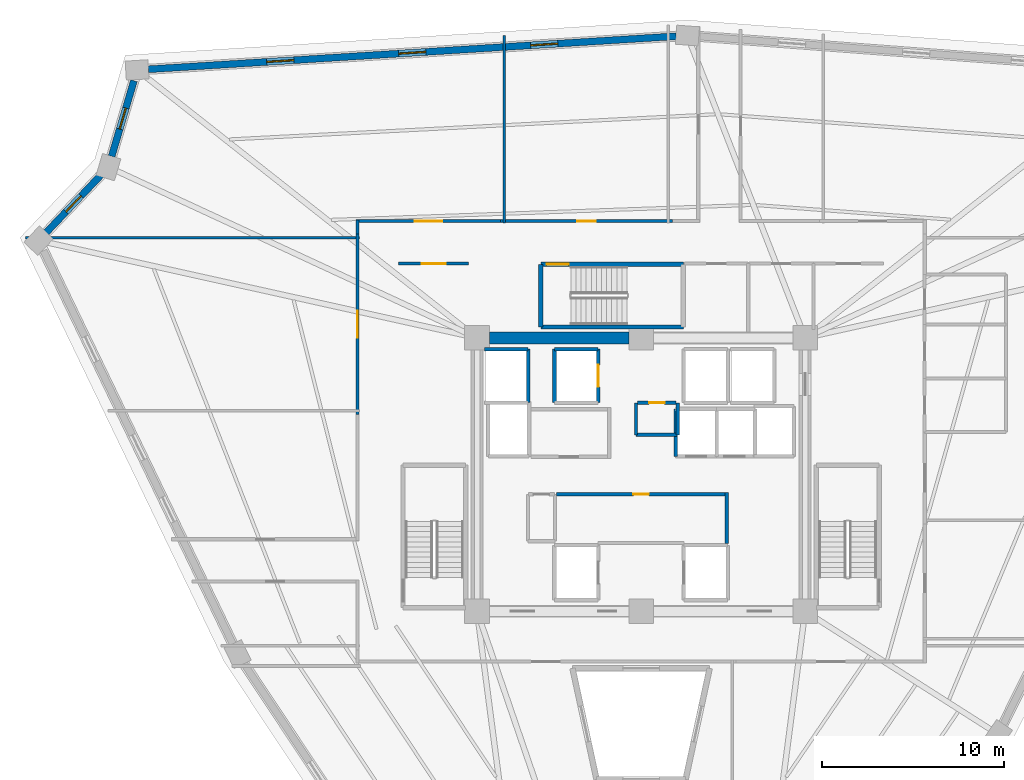
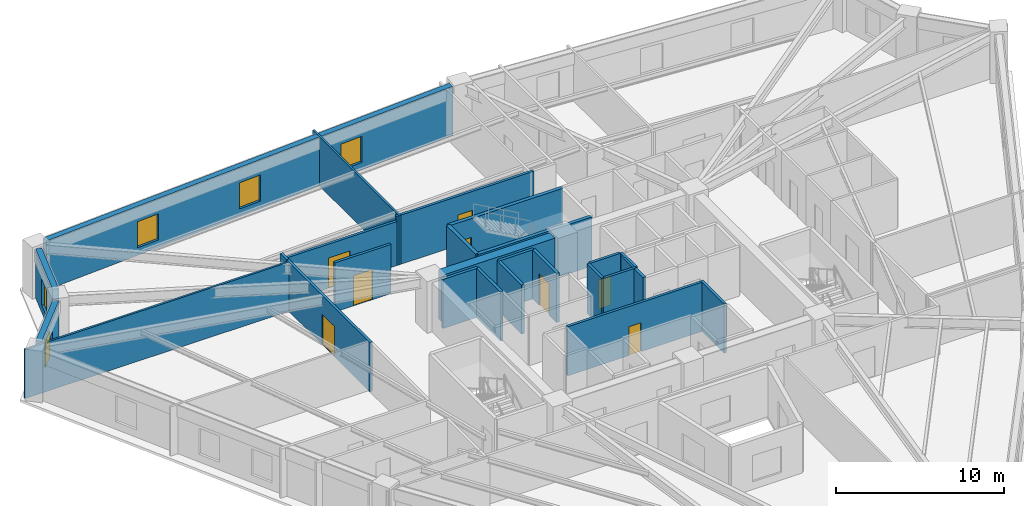
# One storey, part 5 of 9: 26 walls, 8 doors, 5 windows, 13 openings.
"""IFC4 building model written with IfcOpenShell, lengths in metres."""

from ifc_helpers import new_model, si_unit, direction, frame, frame_2d, origin, place, context, subcontext, project, spatial, rectangle, extrude, source, transform, mapped, material, layer, layer_set, type_object, element, fill, save


model = new_model("IFC4")

# Units and contexts
model_context = context("Model", 3, precision=1e-05, world=origin(), true_north=direction((0.0, 1.0)))
body_context = subcontext(model_context, "Body", "Model", "MODEL_VIEW")
ifc_project = project(units=[si_unit("LENGTHUNIT", "METRE"), si_unit("AREAUNIT", "SQUARE_METRE"), si_unit("VOLUMEUNIT", "CUBIC_METRE"), si_unit("PLANEANGLEUNIT", "RADIAN"), si_unit("MASSUNIT", "GRAM", prefix="KILO")], contexts=[model_context])

# Site, building, storey
site_placement = place(None, origin())
site = spatial("IfcSite", under=ifc_project, at=site_placement, CompositionType="ELEMENT")
building_placement = place(site_placement, origin())
building = spatial("IfcBuilding", under=site, at=building_placement, Name="Liaohun Quay Tower", CompositionType="ELEMENT")
storey_placement = place(building_placement, frame((0.0, 0.0, 224.25)))
storey = spatial("IfcBuildingStorey", under=building, at=storey_placement, Name="L58", CompositionType="ELEMENT", Elevation=224.25)

# Wall
ifc_material_1 = material(Name="Concrete C55", Category="concrete")
ifc_layer_1 = layer(ifc_material_1, 0.64990234375, Name="Concrete C55", Category="concrete")
ifc_layer_set_1 = layer_set([ifc_layer_1], Name="Concrete C55")
wall_type_1 = type_object("IfcWallType", Name="WAL-COR-Z3", PredefinedType="SHEAR", material=ifc_layer_set_1)
wall_1_placement = place(storey_placement, frame((51.675048828125, 61.5, 0.0), z_axis=(0.0, 0.0, 1.0), x_axis=(1.0, 0.0, 0.0)))
element("IfcWall", 1, at=wall_1_placement, inside=storey, type_object=wall_type_1, Name="L58 Central Core Shear Wall N-W", PredefinedType="SHEAR", context=body_context, shape_type="SweptSolid", body=[
    extrude(rectangle(XDim=7.64990234375, YDim=0.64990234375, at=frame_2d((3.824951171875, 0.0))), origin(), (0.0, 0.0, 1.0), 3.570068359375),
])

# Wall, openings, windows
ifc_material_2 = material(Name="Precast concrete C50 insulated sandwich", Category="concrete")
ifc_layer_2 = layer(ifc_material_2, 0.3798828125, Name="Precast concrete C50 insulated sandwich", Category="concrete")
ifc_layer_set_2 = layer_set([ifc_layer_2], Name="Precast concrete C50 insulated sandwich")
wall_type_2 = type_object("IfcWallType", Name="WAL-EXT-Z34", PredefinedType="SOLIDWALL", material=ifc_layer_set_2)
wall_2_placement = place(storey_placement, frame((61.927978515625, 78.052978515625, 0.0), z_axis=(0.0, 0.0, 1.0), x_axis=(-0.998042647874, -0.062536973258, 0.0)))
wall_2 = element("IfcWall", 2, at=wall_2_placement, inside=storey, type_object=wall_type_2, Name="L58 Brutalist Precast Pier Wall 07", PredefinedType="SOLIDWALL", context=body_context, shape_type="SweptSolid", body=[
    extrude(rectangle(XDim=29.02197265625, YDim=0.3798828125, at=frame_2d((14.510986328125, 0.0))), origin(), (0.0, 0.0, 1.0), 3.570068359375),
])
shared_shape_1 = source(origin(), body_context, "Body", "SweptSolid", [
    extrude(rectangle(XDim=1.5, YDim=1.89990234375, at=frame_2d((0.75, 0.949951171875))), frame((0.0, 0.199951171875, 0.0), z_axis=(0.0, -1.0, 0.0), x_axis=(1.0, 0.0, 0.0)), (0.0, 0.0, 1.0), 0.39990234375),
])
opening_1_placement = place(wall_2_placement, frame((6.5048828125, 0.0, 0.550048828125)))
opening_1 = element("IfcOpeningElement", 3, at=opening_1_placement, cuts=wall_2, Name="Opening W03", PredefinedType="OPENING", context=body_context, shape_type="MappedRepresentation", body=[
    mapped(shared_shape_1, transform((0.0, 0.0, 0.0), x_axis=(1.0, 0.0, 0.0), y_axis=(0.0, 1.0, 0.0), z_axis=(0.0, 0.0, 1.0), scale=1.0)),
])
opening_2_placement = place(wall_2_placement, frame((13.760986328125, 0.0, 0.550048828125)))
opening_2 = element("IfcOpeningElement", 4, at=opening_2_placement, cuts=wall_2, Name="Opening W03", PredefinedType="OPENING", context=body_context, shape_type="MappedRepresentation", body=[
    mapped(shared_shape_1, transform((0.0, 0.0, 0.0), x_axis=(1.0, 0.0, 0.0), y_axis=(0.0, 1.0, 0.0), z_axis=(0.0, 0.0, 1.0), scale=1.0)),
])
opening_3_placement = place(wall_2_placement, frame((21.01611328125, 0.0, 0.550048828125)))
opening_3 = element("IfcOpeningElement", 5, at=opening_3_placement, cuts=wall_2, Name="Opening W03", PredefinedType="OPENING", context=body_context, shape_type="MappedRepresentation", body=[
    mapped(shared_shape_1, transform((0.0, 0.0, 0.0), x_axis=(1.0, 0.0, 0.0), y_axis=(0.0, 1.0, 0.0), z_axis=(0.0, 0.0, 1.0), scale=1.0)),
])
ifc_material_3 = material(Name="Triple Low-E argon glazing in thermally broken aluminium", Category="aluminium")
window_type_1 = type_object("IfcWindowType", Name="WIN-PUN-Z3", PartitioningType="DOUBLE_PANEL_VERTICAL", PredefinedType="WINDOW", material=ifc_material_3)
shared_shape_2 = source(origin(), body_context, "Body", "SweptSolid", [
    extrude(rectangle(XDim=1.5, YDim=1.89990234375, at=frame_2d((0.75, 0.949951171875))), frame((0.0, 0.030029296875, 0.0), z_axis=(0.0, -1.0, 0.0), x_axis=(1.0, 0.0, 0.0)), (0.0, 0.0, 1.0), 0.06005859375),
])
window_1_placement = place(opening_1_placement, origin())
window_1 = element("IfcWindow", 6, at=window_1_placement, inside=storey, type_object=window_type_1, Name="L58 Recessed Cold-Climate Punched Window 07-1", OverallHeight=1.89990234375, OverallWidth=1.5, PartitioningType="DOUBLE_PANEL_VERTICAL", PredefinedType="WINDOW", context=body_context, shape_type="MappedRepresentation", body=[
    mapped(shared_shape_2, transform((0.0, 0.0, 0.0), x_axis=(1.0, 0.0, 0.0), y_axis=(0.0, 1.0, 0.0), z_axis=(0.0, 0.0, 1.0), scale=1.0)),
])
fill(opening_1, window_1)
window_2_placement = place(opening_2_placement, origin())
window_2 = element("IfcWindow", 7, at=window_2_placement, inside=storey, type_object=window_type_1, Name="L58 Recessed Cold-Climate Punched Window 07-2", OverallHeight=1.89990234375, OverallWidth=1.5, PartitioningType="DOUBLE_PANEL_VERTICAL", PredefinedType="WINDOW", context=body_context, shape_type="MappedRepresentation", body=[
    mapped(shared_shape_2, transform((0.0, 0.0, 0.0), x_axis=(1.0, 0.0, 0.0), y_axis=(0.0, 1.0, 0.0), z_axis=(0.0, 0.0, 1.0), scale=1.0)),
])
fill(opening_2, window_2)
window_3_placement = place(opening_3_placement, origin())
window_3 = element("IfcWindow", 8, at=window_3_placement, inside=storey, type_object=window_type_1, Name="L58 Recessed Cold-Climate Punched Window 07-3", OverallHeight=1.89990234375, OverallWidth=1.5, PartitioningType="DOUBLE_PANEL_VERTICAL", PredefinedType="WINDOW", context=body_context, shape_type="MappedRepresentation", body=[
    mapped(shared_shape_2, transform((0.0, 0.0, 0.0), x_axis=(1.0, 0.0, 0.0), y_axis=(0.0, 1.0, 0.0), z_axis=(0.0, 0.0, 1.0), scale=1.0)),
])
fill(opening_3, window_3)

# Wall, opening, window
wall_3_placement = place(storey_placement, frame((32.175048828125, 75.610107421875, 0.0), z_axis=(0.0, 0.0, 1.0), x_axis=(-0.282762120178, -0.959190066354, 0.0)))
wall_3 = element("IfcWall", 9, at=wall_3_placement, inside=storey, type_object=wall_type_2, Name="L58 Brutalist Precast Pier Wall 08", PredefinedType="SOLIDWALL", context=body_context, shape_type="SweptSolid", body=[
    extrude(rectangle(XDim=4.32568359375, YDim=0.3798828125, at=frame_2d((2.162841796875, 0.0))), origin(), (0.0, 0.0, 1.0), 3.570068359375),
])
shared_shape_3 = source(origin(), body_context, "Body", "SweptSolid", [
    extrude(rectangle(XDim=1.199951171875, YDim=1.89990234375, at=frame_2d((0.60009765625, 0.949951171875))), frame((0.0, 0.199951171875, 0.0), z_axis=(0.0, -1.0, 0.0), x_axis=(1.0, 0.0, 0.0)), (0.0, 0.0, 1.0), 0.39990234375),
])
opening_4_placement = place(wall_3_placement, frame((1.56298828125, 0.0, 0.550048828125)))
opening_4 = element("IfcOpeningElement", 10, at=opening_4_placement, cuts=wall_3, Name="Opening W05", PredefinedType="OPENING", context=body_context, shape_type="MappedRepresentation", body=[
    mapped(shared_shape_3, transform((0.0, 0.0, 0.0), x_axis=(1.0, 0.0, 0.0), y_axis=(0.0, 1.0, 0.0), z_axis=(0.0, 0.0, 1.0), scale=1.0)),
])
ifc_material_4 = material(Name="Triple Low-E corner notch glazing", Category="glass")
window_type_2 = type_object("IfcWindowType", Name="WIN-NOTCH", PartitioningType="SINGLE_PANEL", PredefinedType="WINDOW", material=ifc_material_4)
shared_shape_4 = source(origin(), body_context, "Body", "SweptSolid", [
    extrude(rectangle(XDim=1.199951171875, YDim=1.89990234375, at=frame_2d((0.60009765625, 0.949951171875))), frame((0.0, 0.030029296875, 0.0), z_axis=(0.0, -1.0, 0.0), x_axis=(1.0, 0.0, 0.0)), (0.0, 0.0, 1.0), 0.06005859375),
])
window_4_placement = place(opening_4_placement, origin())
window_4 = element("IfcWindow", 11, at=window_4_placement, inside=storey, type_object=window_type_2, Name="L58 Corner Notch Window W05-08", OverallHeight=1.89990234375, OverallWidth=1.199951171875, PartitioningType="SINGLE_PANEL", PredefinedType="WINDOW", context=body_context, shape_type="MappedRepresentation", body=[
    mapped(shared_shape_4, transform((0.0, 0.0, 0.0), x_axis=(1.0, 0.0, 0.0), y_axis=(0.0, 1.0, 0.0), z_axis=(0.0, 0.0, 1.0), scale=1.0)),
])
fill(opening_4, window_4)

wall_4_placement = place(storey_placement, frame((30.35400390625, 70.425048828125, 0.0), z_axis=(0.0, 0.0, 1.0), x_axis=(-0.689360975367, -0.724418004774, 0.0)))
wall_4 = element("IfcWall", 12, at=wall_4_placement, inside=storey, type_object=wall_type_2, Name="L58 Brutalist Precast Pier Wall 09", PredefinedType="SOLIDWALL", context=body_context, shape_type="SweptSolid", body=[
    extrude(rectangle(XDim=4.331787109375, YDim=0.3798828125, at=frame_2d((2.166015625, 0.0))), origin(), (0.0, 0.0, 1.0), 3.570068359375),
])
opening_5_placement = place(wall_4_placement, frame((1.56591796875, 0.0, 0.550048828125)))
opening_5 = element("IfcOpeningElement", 13, at=opening_5_placement, cuts=wall_4, Name="Opening W05", PredefinedType="OPENING", context=body_context, shape_type="MappedRepresentation", body=[
    mapped(shared_shape_3, transform((0.0, 0.0, 0.0), x_axis=(1.0, 0.0, 0.0), y_axis=(0.0, 1.0, 0.0), z_axis=(0.0, 0.0, 1.0), scale=1.0)),
])
window_5_placement = place(opening_5_placement, origin())
window_5 = element("IfcWindow", 14, at=window_5_placement, inside=storey, type_object=window_type_2, Name="L58 Corner Notch Window W05-09", OverallHeight=1.89990234375, OverallWidth=1.199951171875, PartitioningType="SINGLE_PANEL", PredefinedType="WINDOW", context=body_context, shape_type="MappedRepresentation", body=[
    mapped(shared_shape_4, transform((0.0, 0.0, 0.0), x_axis=(1.0, 0.0, 0.0), y_axis=(0.0, 1.0, 0.0), z_axis=(0.0, 0.0, 1.0), scale=1.0)),
])
fill(opening_5, window_5)

# Wall, opening, door
ifc_material_5 = material(Name="Autoclaved aerated concrete blockwork", Category="masonry")
ifc_layer_3 = layer(ifc_material_5, 0.179931640625, Name="Autoclaved aerated concrete blockwork", Category="masonry")
ifc_layer_set_3 = layer_set([ifc_layer_3], Name="Autoclaved aerated concrete blockwork")
wall_type_3 = type_object("IfcWallType", Name="WAL-PRT-COR", PredefinedType="PARTITIONING", material=ifc_layer_set_3)
wall_5_placement = place(storey_placement, frame((55.3701171875, 52.919921875, 0.0), z_axis=(0.0, 0.0, 1.0), x_axis=(1.0, 0.0, 0.0)))
wall_5 = element("IfcWall", 15, at=wall_5_placement, inside=storey, type_object=wall_type_3, Name="L58 Interior Partition Wall 001", PredefinedType="PARTITIONING", context=body_context, shape_type="SweptSolid", body=[
    extrude(rectangle(XDim=9.239990234375, YDim=0.179931640625, at=frame_2d((4.6201171875, 0.0))), origin(), (0.0, 0.0, 1.0), 3.570068359375),
])
shared_shape_5 = source(origin(), body_context, "Body", "SweptSolid", [
    extrude(rectangle(XDim=0.85009765625, YDim=2.10009765625, at=frame_2d((0.425048828125, 1.050048828125))), frame((0.0, 0.099853515625, 0.0), z_axis=(0.0, -1.0, 0.0), x_axis=(1.0, 0.0, 0.0)), (0.0, 0.0, 1.0), 0.199951171875),
])
opening_6_placement = place(wall_5_placement, frame((4.205078125, 0.0, 0.0)))
opening_6 = element("IfcOpeningElement", 16, at=opening_6_placement, cuts=wall_5, Name="Opening AD1", PredefinedType="OPENING", context=body_context, shape_type="MappedRepresentation", body=[
    mapped(shared_shape_5, transform((0.0, 0.0, 0.0), x_axis=(1.0, 0.0, 0.0), y_axis=(0.0, 1.0, 0.0), z_axis=(0.0, 0.0, 1.0), scale=1.0)),
])
ifc_material_6 = material(Name="Steel riser inspection fire door", Category="steel")
door_type_1 = type_object("IfcDoorType", Name="DOR-SHF-850", OperationType="NOTDEFINED", PredefinedType="DOOR", material=ifc_material_6)
shared_shape_6 = source(origin(), body_context, "Body", "SweptSolid", [
    extrude(rectangle(XDim=0.85009765625, YDim=2.10009765625, at=frame_2d((0.425048828125, 1.050048828125))), frame((0.0, 0.02490234375, 0.0), z_axis=(0.0, -1.0, 0.0), x_axis=(1.0, 0.0, 0.0)), (0.0, 0.0, 1.0), 0.050048828125),
])
door_1_placement = place(opening_6_placement, origin())
door_1 = element("IfcDoor", 17, at=door_1_placement, inside=storey, type_object=door_type_1, Name="L58 Core Tenant Storage and Archive Room Door", OperationType="SINGLE_SWING_LEFT", OverallHeight=2.10009765625, OverallWidth=0.85009765625, PredefinedType="DOOR", context=body_context, shape_type="MappedRepresentation", body=[
    mapped(shared_shape_6, transform((0.0, 0.0, 0.0), x_axis=(1.0, 0.0, 0.0), y_axis=(0.0, 1.0, 0.0), z_axis=(0.0, 0.0, 1.0), scale=1.0)),
])
fill(opening_6, door_1)

wall_6_placement = place(storey_placement, frame((59.81005859375, 57.949951171875, 0.0), z_axis=(0.0, 0.0, 1.0), x_axis=(1.0, 0.0, 0.0)))
wall_6 = element("IfcWall", 18, at=wall_6_placement, inside=storey, type_object=wall_type_3, Name="L58 Interior Partition Wall 003", PredefinedType="PARTITIONING", context=body_context, shape_type="SweptSolid", body=[
    extrude(rectangle(XDim=2.10986328125, YDim=0.179931640625, at=frame_2d((1.054931640625, 0.0))), origin(), (0.0, 0.0, 1.0), 3.570068359375),
])
opening_7_placement = place(wall_6_placement, frame((0.635009765625, 0.0, 0.0)))
opening_7 = element("IfcOpeningElement", 19, at=opening_7_placement, cuts=wall_6, Name="Opening AD1", PredefinedType="OPENING", context=body_context, shape_type="MappedRepresentation", body=[
    mapped(shared_shape_5, transform((0.0, 0.0, 0.0), x_axis=(1.0, 0.0, 0.0), y_axis=(0.0, 1.0, 0.0), z_axis=(0.0, 0.0, 1.0), scale=1.0)),
])
door_2_placement = place(opening_7_placement, origin())
door_2 = element("IfcDoor", 20, at=door_2_placement, inside=storey, type_object=door_type_1, Name="L58 Core Janitor and Cleaner Store Door", OperationType="SINGLE_SWING_LEFT", OverallHeight=2.10009765625, OverallWidth=0.85009765625, PredefinedType="DOOR", context=body_context, shape_type="MappedRepresentation", body=[
    mapped(shared_shape_6, transform((0.0, 0.0, 0.0), x_axis=(1.0, 0.0, 0.0), y_axis=(0.0, 1.0, 0.0), z_axis=(0.0, 0.0, 1.0), scale=1.0)),
])
fill(opening_7, door_2)

wall_7_placement = place(storey_placement, frame((46.699951171875, 65.580078125, 0.0), z_axis=(0.0, 0.0, 1.0), x_axis=(1.0, 0.0, 0.0)))
wall_7 = element("IfcWall", 21, at=wall_7_placement, inside=storey, type_object=wall_type_3, Name="L58 Interior Partition Wall 010", PredefinedType="PARTITIONING", context=body_context, shape_type="SweptSolid", body=[
    extrude(rectangle(XDim=3.840087890625, YDim=0.179931640625, at=frame_2d((1.919921875, 0.0))), origin(), (0.0, 0.0, 1.0), 3.570068359375),
])
shared_shape_7 = source(origin(), body_context, "Body", "SweptSolid", [
    extrude(rectangle(XDim=1.300048828125, YDim=2.199951171875, at=frame_2d((0.64990234375, 1.10009765625))), frame((0.0, 0.099853515625, 0.0), z_axis=(0.0, -1.0, 0.0), x_axis=(1.0, 0.0, 0.0)), (0.0, 0.0, 1.0), 0.199951171875),
])
opening_8_placement = place(wall_7_placement, frame((1.27001953125, 0.0, 0.0)))
opening_8 = element("IfcOpeningElement", 22, at=opening_8_placement, cuts=wall_7, Name="Opening FD1", PredefinedType="OPENING", context=body_context, shape_type="MappedRepresentation", body=[
    mapped(shared_shape_7, transform((0.0, 0.0, 0.0), x_axis=(1.0, 0.0, 0.0), y_axis=(0.0, 1.0, 0.0), z_axis=(0.0, 0.0, 1.0), scale=1.0)),
])
ifc_material_7 = material(Name="Galvanised steel smokeproof fire door", Category="steel")
door_type_2 = type_object("IfcDoorType", Name="DOR-FFL-1300", OperationType="NOTDEFINED", PredefinedType="DOOR", material=ifc_material_7)
shared_shape_8 = source(origin(), body_context, "Body", "SweptSolid", [
    extrude(rectangle(XDim=1.300048828125, YDim=2.199951171875, at=frame_2d((0.64990234375, 1.10009765625))), frame((0.0, 0.02490234375, 0.0), z_axis=(0.0, -1.0, 0.0), x_axis=(1.0, 0.0, 0.0)), (0.0, 0.0, 1.0), 0.050048828125),
])
door_3_placement = place(opening_8_placement, origin())
door_3 = element("IfcDoor", 23, at=door_3_placement, inside=storey, type_object=door_type_2, Name="L58 West Core Vestibule Door", OperationType="SINGLE_SWING_RIGHT", OverallHeight=2.199951171875, OverallWidth=1.300048828125, PredefinedType="DOOR", context=body_context, shape_type="MappedRepresentation", body=[
    mapped(shared_shape_8, transform((0.0, 0.0, 0.0), x_axis=(1.0, 0.0, 0.0), y_axis=(0.0, 1.0, 0.0), z_axis=(0.0, 0.0, 1.0), scale=1.0)),
])
fill(opening_8, door_3)

wall_8_placement = place(storey_placement, frame((52.284912109375, 67.909912109375, 0.0), z_axis=(0.0, 0.0, 1.0), x_axis=(1.0, 0.0, 0.0)))
wall_8 = element("IfcWall", 24, at=wall_8_placement, inside=storey, type_object=wall_type_3, Name="L58 Interior Partition Wall 016", PredefinedType="PARTITIONING", context=body_context, shape_type="SweptSolid", body=[
    extrude(rectangle(XDim=9.43017578125, YDim=0.179931640625, at=frame_2d((4.715087890625, 0.0))), origin(), (0.0, 0.0, 1.0), 3.570068359375),
])
shared_shape_9 = source(origin(), body_context, "Body", "SweptSolid", [
    extrude(rectangle(XDim=1.0, YDim=2.199951171875, at=frame_2d((0.5, 1.10009765625))), frame((0.0, 0.099853515625, 0.0), z_axis=(0.0, -1.0, 0.0), x_axis=(1.0, 0.0, 0.0)), (0.0, 0.0, 1.0), 0.199951171875),
])
opening_9_placement = place(wall_8_placement, frame((4.215087890625, 0.0, 0.0)))
opening_9 = element("IfcOpeningElement", 25, at=opening_9_placement, cuts=wall_8, Name="Opening OD1", PredefinedType="OPENING", context=body_context, shape_type="MappedRepresentation", body=[
    mapped(shared_shape_9, transform((0.0, 0.0, 0.0), x_axis=(1.0, 0.0, 0.0), y_axis=(0.0, 1.0, 0.0), z_axis=(0.0, 0.0, 1.0), scale=1.0)),
])
ifc_material_8 = material(Name="Solid-core oak veneer timber leaf in steel frame", Category="steel")
door_type_3 = type_object("IfcDoorType", Name="DOR-OFF-1000", OperationType="NOTDEFINED", PredefinedType="DOOR", material=ifc_material_8)
shared_shape_10 = source(origin(), body_context, "Body", "SweptSolid", [
    extrude(rectangle(XDim=1.0, YDim=2.199951171875, at=frame_2d((0.5, 1.10009765625))), frame((0.0, 0.02490234375, 0.0), z_axis=(0.0, -1.0, 0.0), x_axis=(1.0, 0.0, 0.0)), (0.0, 0.0, 1.0), 0.050048828125),
])
door_4_placement = place(opening_9_placement, origin())
door_4 = element("IfcDoor", 26, at=door_4_placement, inside=storey, type_object=door_type_3, Name="L58 Corporate Exhibition Gallery 05 Door", OperationType="SINGLE_SWING_RIGHT", OverallHeight=2.199951171875, OverallWidth=1.0, PredefinedType="DOOR", context=body_context, shape_type="MappedRepresentation", body=[
    mapped(shared_shape_10, transform((0.0, 0.0, 0.0), x_axis=(1.0, 0.0, 0.0), y_axis=(0.0, 1.0, 0.0), z_axis=(0.0, 0.0, 1.0), scale=1.0)),
])
fill(opening_9, door_4)

wall_9_placement = place(storey_placement, frame((44.3701171875, 67.909912109375, 0.0), z_axis=(0.0, 0.0, 1.0), x_axis=(1.0, 0.0, 0.0)))
wall_9 = element("IfcWall", 27, at=wall_9_placement, inside=storey, type_object=wall_type_3, Name="L58 Interior Partition Wall 017", PredefinedType="PARTITIONING", context=body_context, shape_type="SweptSolid", body=[
    extrude(rectangle(XDim=7.914794921875, YDim=0.179931640625, at=frame_2d((3.95751953125, 0.0))), origin(), (0.0, 0.0, 1.0), 3.205078125),
])
shared_shape_11 = source(origin(), body_context, "Body", "SweptSolid", [
    extrude(rectangle(XDim=1.5, YDim=2.199951171875, at=frame_2d((0.75, 1.10009765625))), frame((0.0, 0.099853515625, 0.0), z_axis=(0.0, -1.0, 0.0), x_axis=(1.0, 0.0, 0.0)), (0.0, 0.0, 1.0), 0.199951171875),
])
opening_10_placement = place(wall_9_placement, frame((3.20703125, 0.0, 0.0)))
opening_10 = element("IfcOpeningElement", 28, at=opening_10_placement, cuts=wall_9, Name="Opening OD2", PredefinedType="OPENING", context=body_context, shape_type="MappedRepresentation", body=[
    mapped(shared_shape_11, transform((0.0, 0.0, 0.0), x_axis=(1.0, 0.0, 0.0), y_axis=(0.0, 1.0, 0.0), z_axis=(0.0, 0.0, 1.0), scale=1.0)),
])
ifc_material_9 = material(Name="Acoustic oak veneer double door")
door_type_4 = type_object("IfcDoorType", Name="DOR-OFF-1500", OperationType="DOUBLE_DOOR_SINGLE_SWING", PredefinedType="DOOR", material=ifc_material_9)
shared_shape_12 = source(origin(), body_context, "Body", "SweptSolid", [
    extrude(rectangle(XDim=1.5, YDim=2.199951171875, at=frame_2d((0.75, 1.10009765625))), frame((0.0, 0.02490234375, 0.0), z_axis=(0.0, -1.0, 0.0), x_axis=(1.0, 0.0, 0.0)), (0.0, 0.0, 1.0), 0.050048828125),
])
door_5_placement = place(opening_10_placement, origin())
door_5 = element("IfcDoor", 29, at=door_5_placement, inside=storey, type_object=door_type_4, Name="L58 Staff Tea Kitchen and Pantry 06 Door", OperationType="DOUBLE_DOOR_SINGLE_SWING", OverallHeight=2.199951171875, OverallWidth=1.5, PredefinedType="DOOR", context=body_context, shape_type="MappedRepresentation", body=[
    mapped(shared_shape_12, transform((0.0, 0.0, 0.0), x_axis=(1.0, 0.0, 0.0), y_axis=(0.0, 1.0, 0.0), z_axis=(0.0, 0.0, 1.0), scale=1.0)),
])
fill(opening_10, door_5)

wall_10_placement = place(storey_placement, frame((44.43994140625, 57.284912109375, 0.0), z_axis=(0.0, 0.0, 1.0), x_axis=(0.0, 1.0, 0.0)))
wall_10 = element("IfcWall", 30, at=wall_10_placement, inside=storey, type_object=wall_type_3, Name="L58 Interior Partition Wall 018", PredefinedType="PARTITIONING", context=body_context, shape_type="SweptSolid", body=[
    extrude(rectangle(XDim=9.93017578125, YDim=0.179931640625, at=frame_2d((4.965087890625, 0.0))), origin(), (0.0, 0.0, 1.0), 3.570068359375),
])
opening_11_placement = place(wall_10_placement, frame((4.215087890625, 0.0, 0.0)))
opening_11 = element("IfcOpeningElement", 31, at=opening_11_placement, cuts=wall_10, Name="Opening OD2", PredefinedType="OPENING", context=body_context, shape_type="MappedRepresentation", body=[
    mapped(shared_shape_11, transform((0.0, 0.0, 0.0), x_axis=(1.0, 0.0, 0.0), y_axis=(0.0, 1.0, 0.0), z_axis=(0.0, 0.0, 1.0), scale=1.0)),
])
door_6_placement = place(opening_11_placement, origin())
door_6 = element("IfcDoor", 32, at=door_6_placement, inside=storey, type_object=door_type_4, Name="L58 Staff Daycare Nursery 07 Door", OperationType="DOUBLE_DOOR_SINGLE_SWING", OverallHeight=2.199951171875, OverallWidth=1.5, PredefinedType="DOOR", context=body_context, shape_type="MappedRepresentation", body=[
    mapped(shared_shape_12, transform((0.0, 0.0, 0.0), x_axis=(1.0, 0.0, 0.0), y_axis=(0.0, 1.0, 0.0), z_axis=(0.0, 0.0, 1.0), scale=1.0)),
])
fill(opening_11, door_6)

# Walls
for number, where, z_axis, x_axis, name in (
    (33, (59.719970703125, 56.179931640625, 0.0), (0.0, 0.0, 1.0), (0.0, 1.0, 0.0), "L58 Interior Partition Wall 024"),
    (34, (62.010009765625, 56.179931640625, 0.0), (0.0, 0.0, 1.0), (0.0, 1.0, 0.0), "L58 Interior Partition Wall 025"),
):
    element("IfcWall", number, at=place(storey_placement, frame(where, z_axis=z_axis, x_axis=x_axis)), inside=storey, type_object=wall_type_3, Name=name, PredefinedType="PARTITIONING", context=body_context, shape_type="SweptSolid", body=[
        extrude(rectangle(XDim=1.739990234375, YDim=0.179931640625, at=frame_2d((0.8701171875, 0.0))), origin(), (0.0, 0.0, 1.0), 3.570068359375),
    ])
wall_11_placement = place(storey_placement, frame((59.719970703125, 56.179931640625, 0.0), z_axis=(0.0, 0.0, 1.0), x_axis=(1.0, 0.0, 0.0)))
element("IfcWall", 35, at=wall_11_placement, inside=storey, type_object=wall_type_3, Name="L58 Interior Partition Wall 026", PredefinedType="PARTITIONING", context=body_context, shape_type="SweptSolid", body=[
    extrude(rectangle(XDim=2.2900390625, YDim=0.179931640625, at=frame_2d((1.14501953125, 0.0))), origin(), (0.0, 0.0, 1.0), 3.570068359375),
])
wall_12_placement = place(storey_placement, frame((44.43994140625, 67.215087890625, 0.0), z_axis=(0.0, 0.0, 1.0), x_axis=(0.0, 1.0, 0.0)))
element("IfcWall", 36, at=wall_12_placement, inside=storey, type_object=wall_type_3, Name="L58 Interior Partition Wall 041", PredefinedType="PARTITIONING", context=body_context, shape_type="SweptSolid", body=[
    extrude(rectangle(XDim=0.764892578125, YDim=0.179931640625, at=frame_2d((0.38232421875, 0.0))), origin(), (0.0, 0.0, 1.0), 3.570068359375),
])
wall_13_placement = place(storey_placement, frame((64.699951171875, 50.219970703125, 0.0), z_axis=(0.0, 0.0, 1.0), x_axis=(0.0, 1.0, 0.0)))
element("IfcWall", 37, at=wall_13_placement, inside=storey, type_object=wall_type_3, Name="L58 Interior Partition Wall 058", PredefinedType="PARTITIONING", context=body_context, shape_type="SweptSolid", body=[
    extrude(rectangle(XDim=2.7900390625, YDim=0.179931640625, at=frame_2d((1.39501953125, 0.0))), origin(), (0.0, 0.0, 1.0), 3.570068359375),
])
ifc_material_10 = material(Name="Gypsum board on twin steel studs", Category="steel")
ifc_layer_4 = layer(ifc_material_10, 0.139892578125, Name="Gypsum board on twin steel studs", Category="steel")
ifc_layer_set_4 = layer_set([ifc_layer_4], Name="Gypsum board on twin steel studs")
wall_type_4 = type_object("IfcWallType", Name="WAL-PRT-OFF", PredefinedType="PARTITIONING", material=ifc_layer_set_4)
wall_14_placement = place(storey_placement, frame((44.5400390625, 67.0, 0.0), z_axis=(0.0, 0.0, 1.0), x_axis=(-1.0, 0.0, 0.0)))
element("IfcWall", 38, at=wall_14_placement, inside=storey, type_object=wall_type_4, Name="L58 Interior Partition Wall 049", PredefinedType="PARTITIONING", context=body_context, shape_type="SweptSolid", body=[
    extrude(rectangle(XDim=18.31396484375, YDim=0.139892578125, at=frame_2d((9.156982421875, 0.0))), origin(), (0.0, 0.0, 1.0), 3.570068359375),
])
wall_15_placement = place(storey_placement, frame((52.5, 67.81005859375, 0.0), z_axis=(0.0, 0.0, 1.0), x_axis=(0.0, 1.0, 0.0)))
element("IfcWall", 39, at=wall_15_placement, inside=storey, type_object=wall_type_4, Name="L58 Interior Partition Wall 054", PredefinedType="PARTITIONING", context=body_context, shape_type="SweptSolid", body=[
    extrude(rectangle(XDim=10.282958984375, YDim=0.139892578125, at=frame_2d((5.1416015625, 0.0))), origin(), (0.0, 0.0, 1.0), 3.570068359375),
])
ifc_material_11 = material(Name="Concrete C50", Category="concrete")
ifc_layer_5 = layer(ifc_material_11, 0.239990234375, Name="Concrete C50", Category="concrete")
ifc_layer_set_5 = layer_set([ifc_layer_5], Name="Concrete C50")
wall_type_5 = type_object("IfcWallType", Name="WAL-SHF-200", PredefinedType="SOLIDWALL", material=ifc_layer_set_5)
wall_16_placement = place(storey_placement, frame((54.5, 62.10009765625, 0.0), z_axis=(0.0, 0.0, 1.0), x_axis=(1.0, 0.0, 0.0)))
element("IfcWall", 40, at=wall_16_placement, inside=storey, type_object=wall_type_5, Name="L58 Stairwell ST-3 Structural Core Wall S", PredefinedType="SOLIDWALL", context=body_context, shape_type="SweptSolid", body=[
    extrude(rectangle(XDim=7.820068359375, YDim=0.239990234375, at=frame_2d((3.91015625, 0.0))), origin(), (0.0, 0.0, 1.0), 3.570068359375),
])

# Wall, opening, door
wall_17_placement = place(storey_placement, frame((62.320068359375, 65.5400390625, 0.0), z_axis=(0.0, 0.0, 1.0), x_axis=(-1.0, 0.0, 0.0)))
wall_17 = element("IfcWall", 41, at=wall_17_placement, inside=storey, type_object=wall_type_5, Name="L58 Stairwell ST-3 Structural Core Wall N", PredefinedType="SOLIDWALL", context=body_context, shape_type="SweptSolid", body=[
    extrude(rectangle(XDim=7.820068359375, YDim=0.239990234375, at=frame_2d((3.91015625, 0.0))), origin(), (0.0, 0.0, 1.0), 3.570068359375),
])
shared_shape_13 = source(origin(), body_context, "Body", "SweptSolid", [
    extrude(rectangle(XDim=1.199951171875, YDim=2.199951171875, at=frame_2d((0.60009765625, 1.10009765625))), frame((0.0, 0.1298828125, 0.0), z_axis=(0.0, -1.0, 0.0), x_axis=(1.0, 0.0, 0.0)), (0.0, 0.0, 1.0), 0.260009765625),
])
opening_12_placement = place(wall_17_placement, frame((6.300048828125, 0.0, 0.0)))
opening_12 = element("IfcOpeningElement", 42, at=opening_12_placement, cuts=wall_17, Name="Opening SD1", PredefinedType="OPENING", context=body_context, shape_type="MappedRepresentation", body=[
    mapped(shared_shape_13, transform((0.0, 0.0, 0.0), x_axis=(1.0, 0.0, 0.0), y_axis=(0.0, 1.0, 0.0), z_axis=(0.0, 0.0, 1.0), scale=1.0)),
])
ifc_material_12 = material(Name="Galvanised steel fire door", Category="steel")
door_type_5 = type_object("IfcDoorType", Name="DOR-STR-1200", OperationType="NOTDEFINED", PredefinedType="DOOR", material=ifc_material_12)
shared_shape_14 = source(origin(), body_context, "Body", "SweptSolid", [
    extrude(rectangle(XDim=1.199951171875, YDim=2.199951171875, at=frame_2d((0.60009765625, 1.10009765625))), frame((0.0, 0.02490234375, 0.0), z_axis=(0.0, -1.0, 0.0), x_axis=(1.0, 0.0, 0.0)), (0.0, 0.0, 1.0), 0.050048828125),
])
door_7_placement = place(opening_12_placement, origin())
door_7 = element("IfcDoor", 43, at=door_7_placement, inside=storey, type_object=door_type_5, Name="L58 Protected Stair ST-3 Fire Door", OperationType="SINGLE_SWING_RIGHT", OverallHeight=2.199951171875, OverallWidth=1.199951171875, PredefinedType="DOOR", context=body_context, shape_type="MappedRepresentation", body=[
    mapped(shared_shape_14, transform((0.0, 0.0, 0.0), x_axis=(1.0, 0.0, 0.0), y_axis=(0.0, 1.0, 0.0), z_axis=(0.0, 0.0, 1.0), scale=1.0)),
])
fill(opening_12, door_7)

# Wall
wall_18_placement = place(storey_placement, frame((54.5, 65.5400390625, 0.0), z_axis=(0.0, 0.0, 1.0), x_axis=(0.0, -1.0, 0.0)))
element("IfcWall", 44, at=wall_18_placement, inside=storey, type_object=wall_type_5, Name="L58 Stairwell ST-3 Structural Core Wall W", PredefinedType="SOLIDWALL", context=body_context, shape_type="SweptSolid", body=[
    extrude(rectangle(XDim=3.43994140625, YDim=0.239990234375, at=frame_2d((1.719970703125, 0.0))), origin(), (0.0, 0.0, 1.0), 3.570068359375),
])

# Wall, opening, door
wall_19_placement = place(storey_placement, frame((57.64990234375, 57.949951171875, 0.0), z_axis=(0.0, 0.0, 1.0), x_axis=(0.0, 1.0, 0.0)))
wall_19 = element("IfcWall", 45, at=wall_19_placement, inside=storey, type_object=wall_type_5, Name="L58 Lift FF-03 Hoistway Wall E", PredefinedType="SOLIDWALL", context=body_context, shape_type="SweptSolid", body=[
    extrude(rectangle(XDim=2.929931640625, YDim=0.199951171875, at=frame_2d((1.46484375, 0.0))), origin(), (0.0, 0.0, 1.0), 3.570068359375),
])
shared_shape_15 = source(origin(), body_context, "Body", "SweptSolid", [
    extrude(rectangle(XDim=1.199951171875, YDim=2.300048828125, at=frame_2d((0.60009765625, 1.14990234375))), frame((0.0, 0.10986328125, 0.0), z_axis=(0.0, -1.0, 0.0), x_axis=(1.0, 0.0, 0.0)), (0.0, 0.0, 1.0), 0.219970703125),
])
opening_13_placement = place(wall_19_placement, frame((0.864990234375, 0.0, 0.0)))
opening_13 = element("IfcOpeningElement", 46, at=opening_13_placement, cuts=wall_19, Name="Opening LD2", PredefinedType="OPENING", context=body_context, shape_type="MappedRepresentation", body=[
    mapped(shared_shape_15, transform((0.0, 0.0, 0.0), x_axis=(1.0, 0.0, 0.0), y_axis=(0.0, 1.0, 0.0), z_axis=(0.0, 0.0, 1.0), scale=1.0)),
])
ifc_material_13 = material(Name="Brushed stainless steel stretcher landing door", Category="steel")
door_type_6 = type_object("IfcDoorType", Name="DOR-LFT-1200", OperationType="SLIDING_TO_LEFT", PredefinedType="DOOR", material=ifc_material_13)
shared_shape_16 = source(origin(), body_context, "Body", "SweptSolid", [
    extrude(rectangle(XDim=1.199951171875, YDim=2.300048828125, at=frame_2d((0.60009765625, 1.14990234375))), frame((0.0, 0.02490234375, 0.0), z_axis=(0.0, -1.0, 0.0), x_axis=(1.0, 0.0, 0.0)), (0.0, 0.0, 1.0), 0.050048828125),
])
door_8_placement = place(opening_13_placement, origin())
door_8 = element("IfcDoor", 47, at=door_8_placement, inside=storey, type_object=door_type_6, Name="L58 Lift FF-03 Sliding Landing Door", OperationType="SLIDING_TO_LEFT", OverallHeight=2.300048828125, OverallWidth=1.199951171875, PredefinedType="DOOR", context=body_context, shape_type="MappedRepresentation", body=[
    mapped(shared_shape_16, transform((0.0, 0.0, 0.0), x_axis=(1.0, 0.0, 0.0), y_axis=(0.0, 1.0, 0.0), z_axis=(0.0, 0.0, 1.0), scale=1.0)),
])
fill(opening_13, door_8)

# Walls
wall_20_placement = place(storey_placement, frame((57.64990234375, 60.8798828125, 0.0), z_axis=(0.0, 0.0, 1.0), x_axis=(-1.0, 0.0, 0.0)))
element("IfcWall", 48, at=wall_20_placement, inside=storey, type_object=wall_type_5, Name="L58 Lift FF-03 Hoistway Wall N", PredefinedType="SOLIDWALL", context=body_context, shape_type="SweptSolid", body=[
    extrude(rectangle(XDim=2.39990234375, YDim=0.199951171875, at=frame_2d((1.199951171875, 0.0))), origin(), (0.0, 0.0, 1.0), 3.570068359375),
])
for number, where, z_axis, x_axis, name in (
    (49, (55.25, 60.8798828125, 0.0), (0.0, 0.0, 1.0), (0.0, -1.0, 0.0), "L58 Lift FF-03 Hoistway Wall W"),
    (50, (53.800048828125, 57.949951171875, 0.0), (0.0, 0.0, 1.0), (0.0, 1.0, 0.0), "L58 Lift SH-01 Hoistway Wall E"),
):
    element("IfcWall", number, at=place(storey_placement, frame(where, z_axis=z_axis, x_axis=x_axis)), inside=storey, type_object=wall_type_5, Name=name, PredefinedType="SOLIDWALL", context=body_context, shape_type="SweptSolid", body=[
        extrude(rectangle(XDim=2.929931640625, YDim=0.199951171875, at=frame_2d((1.46484375, 0.0))), origin(), (0.0, 0.0, 1.0), 3.570068359375),
    ])
wall_21_placement = place(storey_placement, frame((53.800048828125, 60.8798828125, 0.0), z_axis=(0.0, 0.0, 1.0), x_axis=(-1.0, 0.0, 0.0)))
element("IfcWall", 51, at=wall_21_placement, inside=storey, type_object=wall_type_5, Name="L58 Lift SH-01 Hoistway Wall N", PredefinedType="SOLIDWALL", context=body_context, shape_type="SweptSolid", body=[
    extrude(rectangle(XDim=2.400146484375, YDim=0.199951171875, at=frame_2d((1.2001953125, 0.0))), origin(), (0.0, 0.0, 1.0), 3.570068359375),
])
wall_22_placement = place(storey_placement, frame((61.89990234375, 57.60009765625, 0.0), z_axis=(0.0, 0.0, 1.0), x_axis=(0.0, -1.0, 0.0)))
element("IfcWall", 52, at=wall_22_placement, inside=storey, type_object=wall_type_5, Name="L58 Lift PL-3A Hoistway Wall W", PredefinedType="SOLIDWALL", context=body_context, shape_type="SweptSolid", body=[
    extrude(rectangle(XDim=2.60009765625, YDim=0.199951171875, at=frame_2d((1.300048828125, 0.0))), origin(), (0.0, 0.0, 1.0), 3.570068359375),
])

save(model, "model.ifc")
